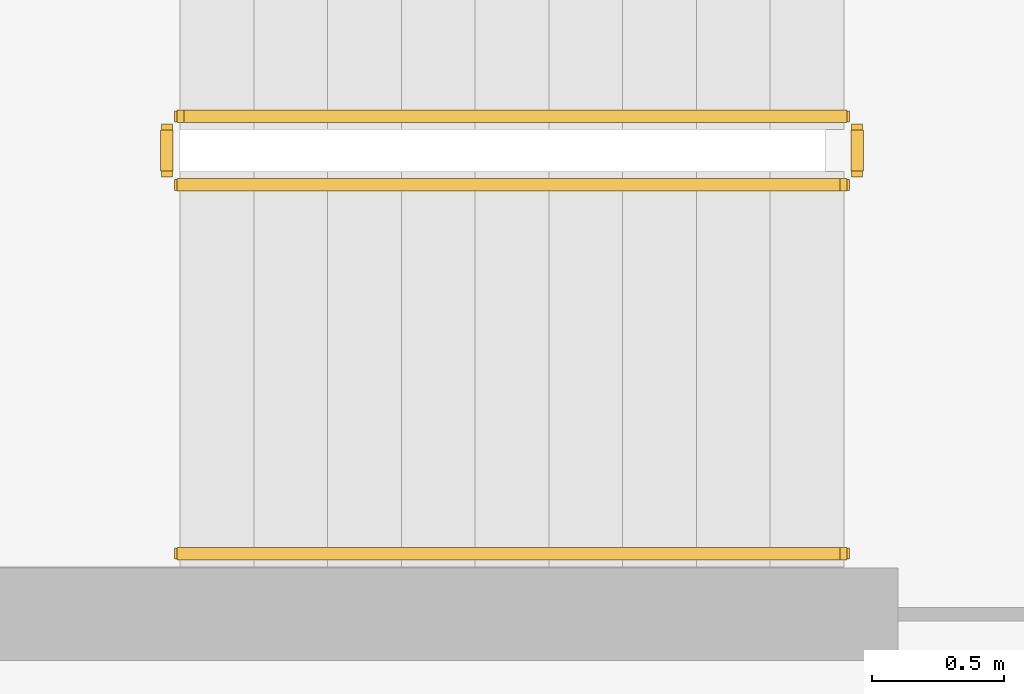
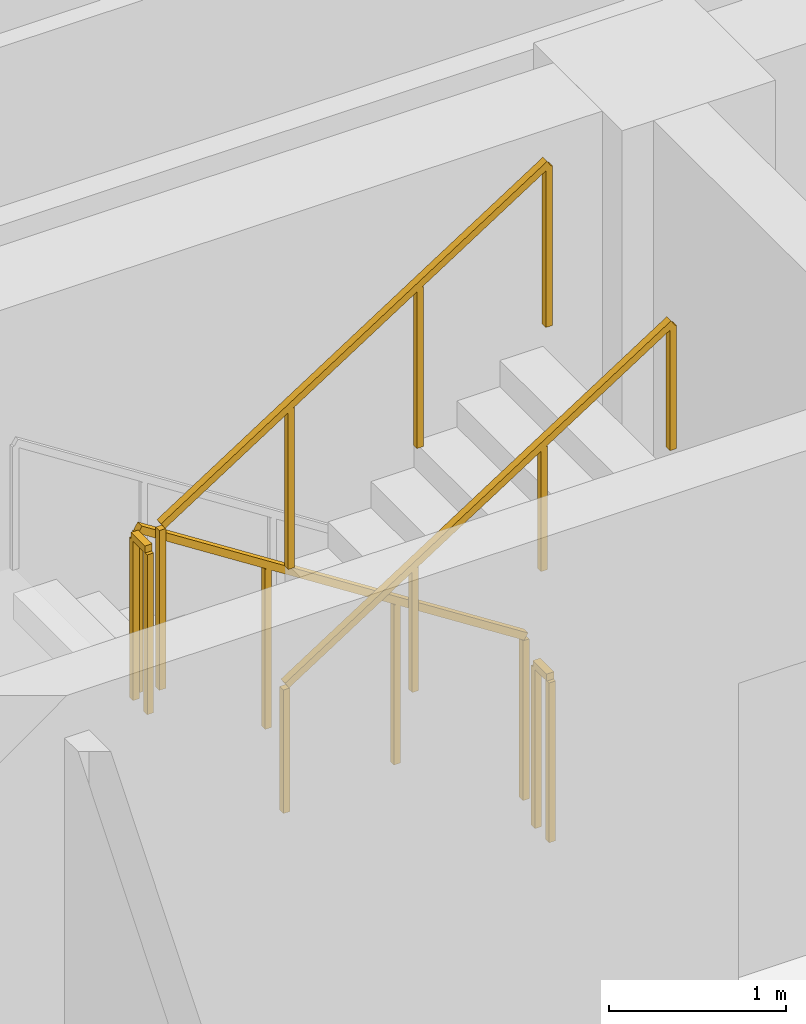
# One storey, part 13 of 15: 5 railings.
"""IFC4 building model written with IfcOpenShell, lengths in metres."""

from ifc_helpers import new_model, si_unit, direction, frame, origin, origin_2d, place, context, subcontext, project, spatial, rectangle, extrude, material, type_object, element, save


model = new_model("IFC4")

# Units and contexts
model_context = context("Model", 3, precision=1e-05, world=origin(), true_north=direction((0.0, 1.0)))
body_context = subcontext(model_context, "Body", "Model", "MODEL_VIEW")
ifc_project = project(units=[si_unit("LENGTHUNIT", "METRE"), si_unit("AREAUNIT", "SQUARE_METRE"), si_unit("VOLUMEUNIT", "CUBIC_METRE"), si_unit("PLANEANGLEUNIT", "RADIAN"), si_unit("MASSUNIT", "GRAM", prefix="KILO")], contexts=[model_context])

# Site, building, storey
site_placement = place(None, origin())
site = spatial("IfcSite", under=ifc_project, at=site_placement, CompositionType="ELEMENT")
building_placement = place(site_placement, origin())
building = spatial("IfcBuilding", under=site, at=building_placement, Name="Zarnavel Station Tower", CompositionType="ELEMENT")
storey_placement = place(building_placement, frame((0.0, 0.0, 196.800048828125)))
storey = spatial("IfcBuildingStorey", under=building, at=storey_placement, Name="L53", CompositionType="ELEMENT", Elevation=196.800048828125)

# Railings
ifc_material_1 = material(Name="Painted Steel S355J2 Balustrade", Category="steel")
railing_type_1 = type_object("IfcRailingType", Name="GR_INT_1150", PredefinedType="GUARDRAIL", material=ifc_material_1)
railing_1_placement = place(storey_placement, frame((19.47998046875, 35.3701171875, 0.179931640625)))
element("IfcRailing", 1, at=railing_1_placement, inside=storey, type_object=railing_type_1, Name="L53 ST1 stair guard 1", PredefinedType="GUARDRAIL", context=body_context, shape_type="SweptSolid", body=[
    extrude(rectangle(XDim=0.048095703125, YDim=0.048095703125, at=origin_2d()), frame((-0.001708984375, 0.0, 1.126953125), z_axis=(-0.841162588446, 0.0, 0.540782303519), x_axis=(0.0, -1.0, 0.0)), (0.0, 0.0, 1.0), 2.991943359375),
    extrude(rectangle(XDim=0.0419921875, YDim=0.0419921875, at=origin_2d()), origin(), (0.0, 0.0, 1.0), 1.101806640625),
    extrude(rectangle(XDim=0.0419921875, YDim=0.0419921875, at=origin_2d()), frame((-0.840087890625, 0.0, 0.5400390625)), (0.0, 0.0, 1.0), 1.101806640625),
    extrude(rectangle(XDim=0.0419921875, YDim=0.0419921875, at=origin_2d()), frame((-1.679931640625, 0.0, 1.080078125)), (0.0, 0.0, 1.0), 1.101806640625),
    extrude(rectangle(XDim=0.0419921875, YDim=0.0419921875, at=origin_2d()), frame((-2.52001953125, 0.0, 1.6201171875)), (0.0, 0.0, 1.0), 1.101806640625),
])
railing_2_placement = place(storey_placement, frame((16.909912109375, 35.320068359375, 1.800048828125)))
element("IfcRailing", 2, at=railing_2_placement, inside=storey, type_object=railing_type_1, Name="L53 ST1 stair guard 2", PredefinedType="GUARDRAIL", context=body_context, shape_type="SweptSolid", body=[
    extrude(rectangle(XDim=0.048095703125, YDim=0.048095703125, at=origin_2d()), frame((0.0, -0.001953125, 1.1259765625), z_axis=(0.0, -1.0, 0.0), x_axis=(1.0, 0.0, 0.0)), (0.0, 0.0, 1.0), 0.15625),
    extrude(rectangle(XDim=0.0419921875, YDim=0.0419921875, at=origin_2d()), origin(), (0.0, 0.0, 1.0), 1.101806640625),
    extrude(rectangle(XDim=0.0419921875, YDim=0.0419921875, at=origin_2d()), frame((0.0, -0.16015625, 0.0)), (0.0, 0.0, 1.0), 1.101806640625),
])
railing_3_placement = place(storey_placement, frame((16.9599609375, 35.110107421875, 1.97998046875)))
element("IfcRailing", 3, at=railing_3_placement, inside=storey, type_object=railing_type_1, Name="L53 ST1 stair guard 3", PredefinedType="GUARDRAIL", context=body_context, shape_type="SweptSolid", body=[
    extrude(rectangle(XDim=0.048095703125, YDim=0.048095703125, at=origin_2d()), frame((0.001708984375, 0.0, 1.126953125), z_axis=(0.841199657755, 0.0, 0.540724639528), x_axis=(0.0, 1.0, 0.0)), (0.0, 0.0, 1.0), 2.99169921875),
    extrude(rectangle(XDim=0.0419921875, YDim=0.0419921875, at=origin_2d()), origin(), (0.0, 0.0, 1.0), 1.101806640625),
    extrude(rectangle(XDim=0.0419921875, YDim=0.0419921875, at=origin_2d()), frame((0.840087890625, 0.0, 0.5400390625)), (0.0, 0.0, 1.0), 1.101806640625),
    extrude(rectangle(XDim=0.0419921875, YDim=0.0419921875, at=origin_2d()), frame((1.679931640625, 0.0, 1.079833984375)), (0.0, 0.0, 1.0), 1.101806640625),
    extrude(rectangle(XDim=0.0419921875, YDim=0.0419921875, at=origin_2d()), frame((2.52001953125, 0.0, 1.619873046875)), (0.0, 0.0, 1.0), 1.101806640625),
])
railing_4_placement = place(storey_placement, frame((19.530029296875, 35.320068359375, 0.0)))
element("IfcRailing", 4, at=railing_4_placement, inside=storey, type_object=railing_type_1, Name="L53 ST1 stair guard 4", PredefinedType="GUARDRAIL", context=body_context, shape_type="SweptSolid", body=[
    extrude(rectangle(XDim=0.048095703125, YDim=0.048095703125, at=origin_2d()), frame((0.0, -0.001953125, 1.1259765625), z_axis=(0.0, -1.0, 0.0), x_axis=(1.0, 0.0, 0.0)), (0.0, 0.0, 1.0), 0.15625),
    extrude(rectangle(XDim=0.0419921875, YDim=0.0419921875, at=origin_2d()), origin(), (0.0, 0.0, 1.0), 1.101806640625),
    extrude(rectangle(XDim=0.0419921875, YDim=0.0419921875, at=origin_2d()), frame((0.0, -0.16015625, 0.0)), (0.0, 0.0, 1.0), 1.101806640625),
])
ifc_material_2 = material(Name="Brushed Stainless Steel S355J2 Handrail", Category="steel")
railing_type_2 = type_object("IfcRailingType", Name="HR_STAIR_900", PredefinedType="HANDRAIL", material=ifc_material_2)
railing_5_placement = place(storey_placement, frame((16.9599609375, 33.7099609375, 1.97998046875)))
element("IfcRailing", 5, at=railing_5_placement, inside=storey, type_object=railing_type_2, Name="L53 ST1 stair handrail 2", PredefinedType="HANDRAIL", context=body_context, shape_type="SweptSolid", body=[
    extrude(rectangle(XDim=0.048095703125, YDim=0.048095703125, at=origin_2d()), frame((0.001708984375, 0.0, 0.876953125), z_axis=(0.841199657755, 0.0, 0.540724639528), x_axis=(0.0, 1.0, 0.0)), (0.0, 0.0, 1.0), 2.99169921875),
    extrude(rectangle(XDim=0.0419921875, YDim=0.0419921875, at=origin_2d()), origin(), (0.0, 0.0, 1.0), 0.851806640625),
    extrude(rectangle(XDim=0.0419921875, YDim=0.0419921875, at=origin_2d()), frame((0.840087890625, 0.0, 0.5400390625)), (0.0, 0.0, 1.0), 0.851806640625),
    extrude(rectangle(XDim=0.0419921875, YDim=0.0419921875, at=origin_2d()), frame((1.679931640625, 0.0, 1.079833984375)), (0.0, 0.0, 1.0), 0.851806640625),
    extrude(rectangle(XDim=0.0419921875, YDim=0.0419921875, at=origin_2d()), frame((2.52001953125, 0.0, 1.619873046875)), (0.0, 0.0, 1.0), 0.851806640625),
])

save(model, "model.ifc")
